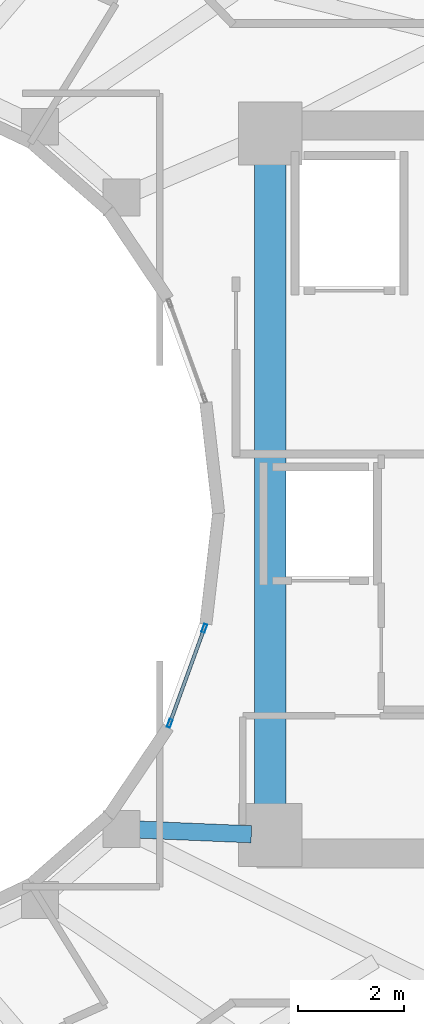
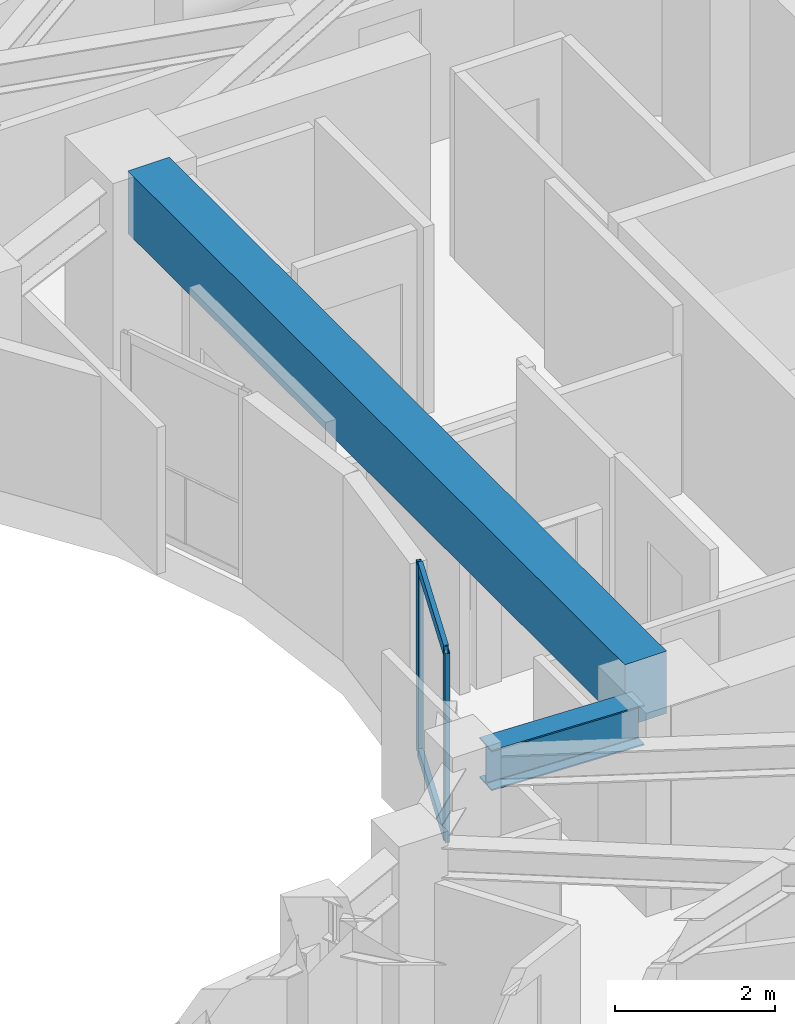
# One storey, part 4 of 19: 4 members, 2 beams, 1 element without a shape of its own.
"""IFC4 building model written with IfcOpenShell, lengths in metres."""

from ifc_helpers import new_model, si_unit, direction, frame, origin, origin_2d, place, context, subcontext, project, spatial, rectangle, hollow_rectangle, i_section, extrude, material, layer, layer_set, material_profile, profile_set, type_object, element, aggregate, save


model = new_model("IFC4")

# Units and contexts
model_context = context("Model", 3, precision=1e-05, world=origin(), true_north=direction((0.0, 1.0)))
body_context = subcontext(model_context, "Body", "Model", "MODEL_VIEW")
ifc_project = project(units=[si_unit("LENGTHUNIT", "METRE"), si_unit("AREAUNIT", "SQUARE_METRE"), si_unit("VOLUMEUNIT", "CUBIC_METRE"), si_unit("PLANEANGLEUNIT", "RADIAN"), si_unit("MASSUNIT", "GRAM", prefix="KILO")], contexts=[model_context])

# Site, building, storey
site_placement = place(None, origin())
site = spatial("IfcSite", under=ifc_project, at=site_placement, CompositionType="ELEMENT")
building_placement = place(site_placement, origin())
building = spatial("IfcBuilding", under=site, at=building_placement, Name="Solvane Sanctuary Tower", CompositionType="ELEMENT")
storey_placement = place(building_placement, frame((0.0, 0.0, 201.60009765625)))
storey = spatial("IfcBuildingStorey", under=building, at=storey_placement, Name="L61", CompositionType="ELEMENT", Elevation=201.60009765625)

# Beams
ifc_material_1 = material(Name="Concrete C70/85", Category="concrete")
ifc_material_profile_1 = material_profile(ifc_material_1, rectangle(XDim=0.60009765625, YDim=0.949951171875, at=origin_2d()), Name="RC600X950")
ifc_profile_set_1 = profile_set([ifc_material_profile_1], Name="Concrete C70/85")
beam_type_1 = type_object("IfcBeamType", Name="Beam B-COUPLE RC600X950", PredefinedType="LINTEL", material=ifc_profile_set_1)
beam_1_placement = place(storey_placement, frame((40.10009765625, 17.35009765625, 2.625), z_axis=(0.0, 1.0, 0.0), x_axis=(-1.0, 0.0, 0.0)))
element("IfcBeam", 1, at=beam_1_placement, inside=storey, type_object=beam_type_1, Name="L61 East Core Coupling Lintel", PredefinedType="LINTEL", context=body_context, shape_type="SweptSolid", body=[
    extrude(rectangle(XDim=0.60009765625, YDim=0.949951171875, at=origin_2d()), origin(), (0.0, 0.0, 1.0), 12.39990234375),
])
ifc_material_2 = material(Name="Steel ASTM A992 Grade 50", Category="steel")
ifc_material_profile_2 = material_profile(ifc_material_2, i_section(OverallWidth=0.324951171875, OverallDepth=0.615966796875, WebThickness=0.013916015625, FlangeThickness=0.021484375, FilletRadius=0.01611328125, at=origin_2d()), Name="W24X117")
ifc_profile_set_2 = profile_set([ifc_material_profile_2], Name="Steel ASTM A992 Grade 50")
beam_type_2 = type_object("IfcBeamType", Name="Beam B-RING-IN2 W24X117", PredefinedType="BEAM", material=ifc_profile_set_2)
beam_2_placement = place(storey_placement, frame((37.5947265625, 17.004638671875, 2.56982421875), z_axis=(0.999129127803, -0.041725124022, 0.0), x_axis=(0.041725124022, 0.999129127803, 0.0)))
element("IfcBeam", 2, at=beam_2_placement, inside=storey, type_object=beam_type_2, Name="L61 Inner Light-Well Ring Beam IC14-CE1", PredefinedType="BEAM", context=body_context, shape_type="SweptSolid", body=[
    extrude(i_section(OverallWidth=0.324951171875, OverallDepth=0.615966796875, WebThickness=0.013916015625, FlangeThickness=0.021484375, FilletRadius=0.01611328125, at=origin_2d()), origin(), (0.0, 0.0, 1.0), 2.1474609375),
])

# Curtain wall, members
ifc_material_3 = material(Name="Anodised Aluminium 6063-T6", Category="aluminium")
ifc_layer = layer(ifc_material_3, 0.199951171875, Name="Anodised Aluminium 6063-T6")
ifc_layer_set = layer_set([ifc_layer], Name="Anodised Aluminium 6063-T6")
curtain_wall_type = type_object("IfcCurtainWallType", Name="Curtain Wall CW-WELL", PredefinedType="NOTDEFINED", material=ifc_layer_set)
curtain_wall_placement = place(storey_placement, origin())
curtain_wall = element("IfcCurtainWall", 3, at=curtain_wall_placement, inside=storey, type_object=curtain_wall_type, Name="L61 Light-Well Glazed Curtain Wall 22", PredefinedType="NOTDEFINED")
ifc_material_profile_3 = material_profile(ifc_material_3, hollow_rectangle(XDim=0.06494140625, YDim=0.159912109375, WallThickness=0.00341796875, at=origin_2d()), Name="ALU160X65X3.5")
ifc_profile_set_3 = profile_set([ifc_material_profile_3], Name="Anodised Aluminium 6063-T6")
member_type_1 = type_object("IfcMemberType", Name="Member M-CW-MUL-2 ALU160X65X3.5", PredefinedType="MULLION", material=ifc_profile_set_3)
member_1_placement = place(storey_placement, frame((38.1943359375, 19.017578125, 0.0), z_axis=(0.0, 0.0, 1.0), x_axis=(-0.939933181429, 0.341358483781, 0.0)))
member_1 = element("IfcMember", 4, at=member_1_placement, type_object=member_type_1, Name="CW-WELL mullion 1", PredefinedType="MULLION", context=body_context, shape_type="SweptSolid", body=[
    extrude(hollow_rectangle(XDim=0.06494140625, YDim=0.159912109375, WallThickness=0.00341796875, at=origin_2d()), origin(), (0.0, 0.0, 1.0), 2.8798828125),
])
member_2_placement = place(storey_placement, frame((38.84912109375, 20.82080078125, 0.0), z_axis=(0.0, 0.0, 1.0), x_axis=(-0.939933181429, 0.341358483781, 0.0)))
member_2 = element("IfcMember", 5, at=member_2_placement, type_object=member_type_1, Name="CW-WELL mullion 2", PredefinedType="MULLION", context=body_context, shape_type="SweptSolid", body=[
    extrude(hollow_rectangle(XDim=0.06494140625, YDim=0.159912109375, WallThickness=0.00341796875, at=origin_2d()), origin(), (0.0, 0.0, 1.0), 2.8798828125),
])
ifc_material_profile_4 = material_profile(ifc_material_3, hollow_rectangle(XDim=0.06494140625, YDim=0.159912109375, WallThickness=0.00341796875, at=origin_2d()), Name="ALU160X65X3.5")
ifc_profile_set_4 = profile_set([ifc_material_profile_4], Name="Anodised Aluminium 6063-T6")
member_type_2 = type_object("IfcMemberType", Name="Member M-CW-TRN-1 ALU160X65X3.5", PredefinedType="USERDEFINED", material=ifc_profile_set_4)
member_3_placement = place(storey_placement, frame((38.205322265625, 19.048095703125, 0.032470703125), z_axis=(0.341404620561, 0.939916424508, 0.0), x_axis=(-0.939916424508, 0.341404620561, 0.0)))
member_3 = element("IfcMember", 6, at=member_3_placement, type_object=member_type_2, Name="CW-WELL transom 1.1", ObjectType="TRANSOM", PredefinedType="USERDEFINED", context=body_context, shape_type="SweptSolid", body=[
    extrude(hollow_rectangle(XDim=0.06494140625, YDim=0.159912109375, WallThickness=0.00341796875, at=origin_2d()), origin(), (0.0, 0.0, 1.0), 1.853515625),
])
member_4_placement = place(storey_placement, frame((38.205322265625, 19.048095703125, 2.847412109375), z_axis=(0.341404620561, 0.939916424508, 0.0), x_axis=(-0.939916424508, 0.341404620561, 0.0)))
member_4 = element("IfcMember", 7, at=member_4_placement, type_object=member_type_2, Name="CW-WELL transom 1.2", ObjectType="TRANSOM", PredefinedType="USERDEFINED", context=body_context, shape_type="SweptSolid", body=[
    extrude(hollow_rectangle(XDim=0.06494140625, YDim=0.159912109375, WallThickness=0.00341796875, at=origin_2d()), origin(), (0.0, 0.0, 1.0), 1.853515625),
])
aggregate(curtain_wall, [member_1, member_2, member_3, member_4])

save(model, "model.ifc")
